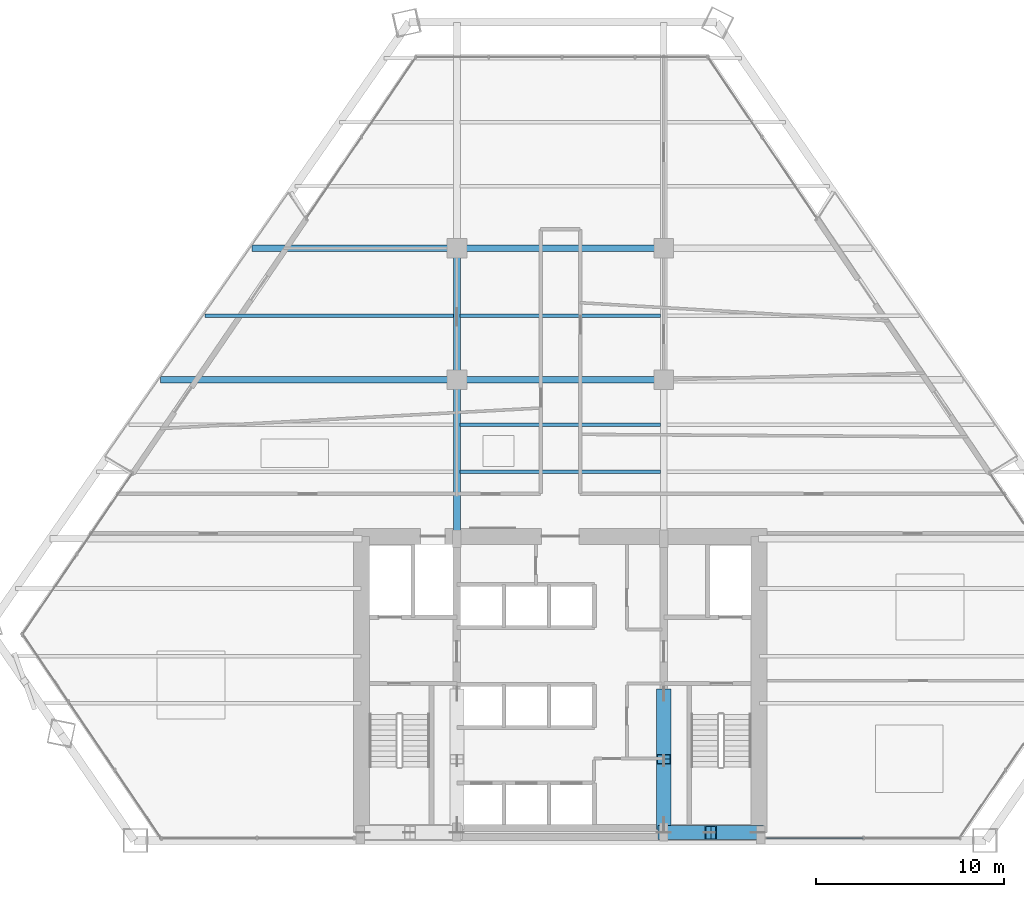
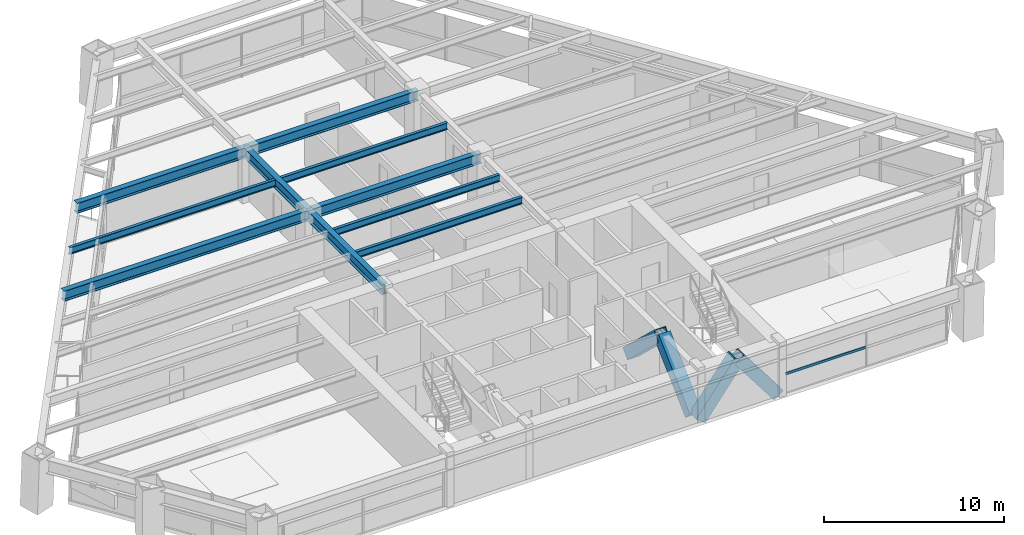
# One storey, part 5 of 14: 10 beams, 5 members, 1 element without a shape of its own.
"""IFC4 building model written with IfcOpenShell, lengths in metres."""

from ifc_helpers import new_model, si_unit, direction, frame, origin, origin_2d, place, context, subcontext, project, spatial, rectangle, hollow_rectangle, i_section, extrude, source, transform, mapped, material, material_profile, profile_set, type_object, type_shapes, element, aggregate, save


model = new_model("IFC4")

# Units and contexts
model_context = context("Model", 3, precision=1e-05, world=origin(), true_north=direction((0.0, 1.0)))
body_context = subcontext(model_context, "Body", "Model", "MODEL_VIEW")
ifc_project = project(units=[si_unit("LENGTHUNIT", "METRE"), si_unit("AREAUNIT", "SQUARE_METRE"), si_unit("VOLUMEUNIT", "CUBIC_METRE"), si_unit("PLANEANGLEUNIT", "RADIAN"), si_unit("MASSUNIT", "GRAM", prefix="KILO")], contexts=[model_context])

# Site, building, storey
site_placement = place(None, origin())
site = spatial("IfcSite", under=ifc_project, at=site_placement, CompositionType="ELEMENT")
building_placement = place(site_placement, origin())
building = spatial("IfcBuilding", under=site, at=building_placement, Name="Varnakhor Terracotta Tower", CompositionType="ELEMENT")
storey_placement = place(building_placement, frame((0.0, 0.0, 34.89990234375)))
storey = spatial("IfcBuildingStorey", under=building, at=storey_placement, Name="L07", CompositionType="ELEMENT", Elevation=34.89990234375)

# Beams
ifc_material_1 = material(Name="Steel S355", Category="steel")
ifc_material_profile_1 = material_profile(ifc_material_1, i_section(OverallWidth=0.35498046875, OverallDepth=0.695068359375, WebThickness=0.014892578125, FlangeThickness=0.02490234375, FilletRadius=0.01806640625, at=origin_2d()), Name="W27X146")
ifc_profile_set_1 = profile_set([ifc_material_profile_1], Name="Steel S355")
beam_type_1 = type_object("IfcBeamType", Name="BM-W27X146", PredefinedType="BEAM", material=ifc_profile_set_1)
shared_shape_1 = source(origin(), body_context, "Body", "SweptSolid", [
    extrude(i_section(OverallWidth=0.35498046875, OverallDepth=0.695068359375, WebThickness=0.014892578125, FlangeThickness=0.02490234375, FilletRadius=0.01806640625, at=origin_2d()), origin(), (0.0, 0.0, 1.0), 8.449951171875),
])
type_shapes(beam_type_1, [shared_shape_1])
beam_1_placement = place(storey_placement, frame((-5.5, 16.050048828125, 3.1025390625), z_axis=(0.0, 1.0, 0.0), x_axis=(-1.0, 0.0, 0.0)))
element("IfcBeam", 1, at=beam_1_placement, inside=storey, type_object=beam_type_1, Name="L07 Primary Girder NS1-W", PredefinedType="BEAM", context=body_context, shape_type="MappedRepresentation", body=[
    mapped(shared_shape_1, transform((0.0, 0.0, 0.0), scale=1.0)),
])
shared_shape_2 = source(origin(), body_context, "Body", "SweptSolid", [
    extrude(i_section(OverallWidth=0.35498046875, OverallDepth=0.695068359375, WebThickness=0.014892578125, FlangeThickness=0.02490234375, FilletRadius=0.01806640625, at=origin_2d()), origin(), (0.0, 0.0, 1.0), 7.0),
])
beam_2_placement = place(storey_placement, frame((-5.5, 24.5, 3.1025390625), z_axis=(0.0, 1.0, 0.0), x_axis=(-1.0, 0.0, 0.0)))
element("IfcBeam", 2, at=beam_2_placement, inside=storey, type_object=beam_type_1, Name="L07 Primary Girder NS2-W", PredefinedType="BEAM", context=body_context, shape_type="MappedRepresentation", body=[
    mapped(shared_shape_2, transform((0.0, 0.0, 0.0), scale=1.0)),
])
shared_shape_3 = source(origin(), body_context, "Body", "SweptSolid", [
    extrude(i_section(OverallWidth=0.35498046875, OverallDepth=0.695068359375, WebThickness=0.014892578125, FlangeThickness=0.02490234375, FilletRadius=0.01806640625, at=origin_2d()), origin(), (0.0, 0.0, 1.0), 11.0),
])
for number, where, z_axis, x_axis, name in (
    (3, (-5.5, 24.5, 3.1025390625), (1.0, 0.0, 0.0), (0.0, 1.0, 0.0), "L07 Primary Girder EW2-2"),
    (4, (-5.5, 31.5, 3.1025390625), (1.0, 0.0, 0.0), (0.0, 1.0, 0.0), "L07 Primary Girder EW3-2"),
):
    element("IfcBeam", number, at=place(storey_placement, frame(where, z_axis=z_axis, x_axis=x_axis)), inside=storey, type_object=beam_type_1, Name=name, PredefinedType="BEAM", context=body_context, shape_type="MappedRepresentation", body=[
        mapped(shared_shape_3, transform((0.0, 0.0, 0.0), scale=1.0)),
    ])
ifc_material_profile_2 = material_profile(ifc_material_1, i_section(OverallWidth=0.19189453125, OverallDepth=0.462890625, WebThickness=0.010498046875, FlangeThickness=0.017578125, FilletRadius=0.01806640625, at=origin_2d()), Name="W18X60")
ifc_profile_set_2 = profile_set([ifc_material_profile_2], Name="Steel S355")
beam_type_2 = type_object("IfcBeamType", Name="JST-W18X60", PredefinedType="JOIST", material=ifc_profile_set_2)
shared_shape_4 = source(origin(), body_context, "Body", "SweptSolid", [
    extrude(i_section(OverallWidth=0.19189453125, OverallDepth=0.462890625, WebThickness=0.010498046875, FlangeThickness=0.017578125, FilletRadius=0.01806640625, at=origin_2d()), origin(), (0.0, 0.0, 1.0), 10.65283203125),
])
for number, where, z_axis, x_axis, name in (
    (5, (-5.326416015625, 19.60009765625, 3.218505859375), (1.0, 0.0, 0.0), (0.0, 1.0, 0.0), "L07 Composite Floor Joist 4-2"),
    (6, (-5.326416015625, 22.10009765625, 3.218505859375), (1.0, 0.0, 0.0), (0.0, 1.0, 0.0), "L07 Composite Floor Joist 5-2"),
    (7, (-5.326416015625, 27.89990234375, 3.218505859375), (1.0, 0.0, 0.0), (0.0, 1.0, 0.0), "L07 Composite Floor Joist 6-2"),
):
    element("IfcBeam", number, at=place(storey_placement, frame(where, z_axis=z_axis, x_axis=x_axis)), inside=storey, type_object=beam_type_2, Name=name, PredefinedType="JOIST", context=body_context, shape_type="MappedRepresentation", body=[
        mapped(shared_shape_4, transform((0.0, 0.0, 0.0), scale=1.0)),
    ])

# Members
ifc_material_2 = material(Name="Steel S460", Category="steel")
ifc_material_profile_3 = material_profile(ifc_material_2, hollow_rectangle(XDim=0.75, YDim=0.75, WallThickness=0.044921875, at=origin_2d()), Name="HSS750X750X45")
ifc_profile_set_3 = profile_set([ifc_material_profile_3], Name="Steel S460")
member_type_1 = type_object("IfcMemberType", Name="MBR-MEGA-750", PredefinedType="BRACE", material=ifc_profile_set_3)
shared_shape_5 = source(origin(), body_context, "Body", "SweptSolid", [
    extrude(hollow_rectangle(XDim=0.75, YDim=0.75, WallThickness=0.044921875, at=origin_2d()), origin(), (0.0, 0.0, 1.0), 4.14013671875),
])
type_shapes(member_type_1, [shared_shape_5])
for number, where, z_axis, x_axis, name in (
    (8, (5.5, 0.419921875, 0.0), (0.603852011179, 0.0, 0.797096448741), (0.0, 1.0, 0.0), "L07 Core Coupled Brace CSEA"),
    (9, (10.5, 0.419921875, 0.0), (-0.603852011179, 0.0, 0.797096448741), (0.0, -1.0, 0.0), "L07 Core Coupled Brace CSEB"),
):
    element("IfcMember", number, at=place(storey_placement, frame(where, z_axis=z_axis, x_axis=x_axis)), inside=storey, type_object=member_type_1, Name=name, PredefinedType="BRACE", context=body_context, shape_type="MappedRepresentation", body=[
        mapped(shared_shape_5, transform((0.0, 0.0, 0.0), scale=1.0)),
    ])
shared_shape_6 = source(origin(), body_context, "Body", "SweptSolid", [
    extrude(hollow_rectangle(XDim=0.75, YDim=0.75, WallThickness=0.044921875, at=origin_2d()), origin(), (0.0, 0.0, 1.0), 4.792236328125),
])
for number, where, z_axis, x_axis, name in (
    (10, (5.5, 0.85009765625, 0.0), (0.0, 0.725110085518, 0.688632967466), (-1.0, 0.0, 0.0), "L07 Core Coupled Brace CWEA"),
    (11, (5.5, 7.800048828125, 0.0), (0.0, -0.72513424341, 0.688607529028), (1.0, 0.0, 0.0), "L07 Core Coupled Brace CWEB"),
):
    element("IfcMember", number, at=place(storey_placement, frame(where, z_axis=z_axis, x_axis=x_axis)), inside=storey, type_object=member_type_1, Name=name, PredefinedType="BRACE", context=body_context, shape_type="MappedRepresentation", body=[
        mapped(shared_shape_6, transform((0.0, 0.0, 0.0), scale=1.0)),
    ])

# Beams
shared_shape_7 = source(origin(), body_context, "Body", "SweptSolid", [
    extrude(i_section(OverallWidth=0.35498046875, OverallDepth=0.695068359375, WebThickness=0.014892578125, FlangeThickness=0.02490234375, FilletRadius=0.01806640625, at=origin_2d()), origin(), (0.0, 0.0, 1.0), 15.760986328125),
])
beam_3_placement = place(storey_placement, frame((-21.260986328125, 24.5, 3.1025390625), z_axis=(1.0, 0.0, 0.0), x_axis=(0.0, 1.0, 0.0)))
element("IfcBeam", 12, at=beam_3_placement, inside=storey, type_object=beam_type_1, Name="L07 Primary Girder EW2-1", PredefinedType="BEAM", context=body_context, shape_type="MappedRepresentation", body=[
    mapped(shared_shape_7, transform((0.0, 0.0, 0.0), scale=1.0)),
])
shared_shape_8 = source(origin(), body_context, "Body", "SweptSolid", [
    extrude(i_section(OverallWidth=0.35498046875, OverallDepth=0.695068359375, WebThickness=0.014892578125, FlangeThickness=0.02490234375, FilletRadius=0.01806640625, at=origin_2d()), origin(), (0.0, 0.0, 1.0), 10.8955078125),
])
beam_4_placement = place(storey_placement, frame((-16.3955078125, 31.5, 3.1025390625), z_axis=(1.0, 0.0, 0.0), x_axis=(0.0, 1.0, 0.0)))
element("IfcBeam", 13, at=beam_4_placement, inside=storey, type_object=beam_type_1, Name="L07 Primary Girder EW3-1", PredefinedType="BEAM", context=body_context, shape_type="MappedRepresentation", body=[
    mapped(shared_shape_8, transform((0.0, 0.0, 0.0), scale=1.0)),
])
shared_shape_9 = source(origin(), body_context, "Body", "SweptSolid", [
    extrude(i_section(OverallWidth=0.19189453125, OverallDepth=0.462890625, WebThickness=0.010498046875, FlangeThickness=0.017578125, FilletRadius=0.01806640625, at=origin_2d()), origin(), (0.0, 0.0, 1.0), 13.22412109375),
])
beam_5_placement = place(storey_placement, frame((-18.897705078125, 27.89990234375, 3.218505859375), z_axis=(1.0, 0.0, 0.0), x_axis=(0.0, 1.0, 0.0)))
element("IfcBeam", 14, at=beam_5_placement, inside=storey, type_object=beam_type_2, Name="L07 Composite Floor Joist 6-1", PredefinedType="JOIST", context=body_context, shape_type="MappedRepresentation", body=[
    mapped(shared_shape_9, transform((0.0, 0.0, 0.0), scale=1.0)),
])

# Curtain wall, member
ifc_material_3 = material(Name="Anodised Aluminium Curtain Wall System", Category="aluminium")
curtain_wall_type = type_object("IfcCurtainWallType", Name="CW-SYS-LOW-OFFICE", PredefinedType="NOTDEFINED", material=ifc_material_3)
curtain_wall_placement = place(storey_placement, origin())
curtain_wall = element("IfcCurtainWall", 15, at=curtain_wall_placement, inside=storey, type_object=curtain_wall_type, Name="L07 South Wing Curtain Wall SSE", PredefinedType="NOTDEFINED")
ifc_material_4 = material(Name="Anodised Aluminium 6063-T6", Category="aluminium")
ifc_material_profile_4 = material_profile(ifc_material_4, rectangle(XDim=0.074951171875, YDim=0.1650390625, at=origin_2d()), Name="ALU TRANSOM 75x165")
ifc_profile_set_4 = profile_set([ifc_material_profile_4], Name="Anodised Aluminium 6063-T6")
member_type_2 = type_object("IfcMemberType", Name="CWT-02", PredefinedType="USERDEFINED", material=ifc_profile_set_4)
shared_shape_10 = source(origin(), body_context, "Body", "SweptSolid", [
    extrude(rectangle(XDim=0.074951171875, YDim=0.1650390625, at=origin_2d()), origin(), (0.0, 0.0, 1.0), 5.1494140625),
])
member_placement = place(storey_placement, frame((16.119384765625, 0.1201171875, 1.272705078125), z_axis=(-1.0, 0.0, 0.0), x_axis=(0.0, -1.0, 0.0)))
member = element("IfcMember", 16, at=member_placement, type_object=member_type_2, Name="L07 South Wing Curtain Wall SSE Transom 2", ObjectType="TRANSOM", PredefinedType="USERDEFINED", context=body_context, shape_type="MappedRepresentation", body=[
    mapped(shared_shape_10, transform((0.0, 0.0, 0.0), scale=1.0)),
])
aggregate(curtain_wall, [member])

save(model, "model.ifc")
